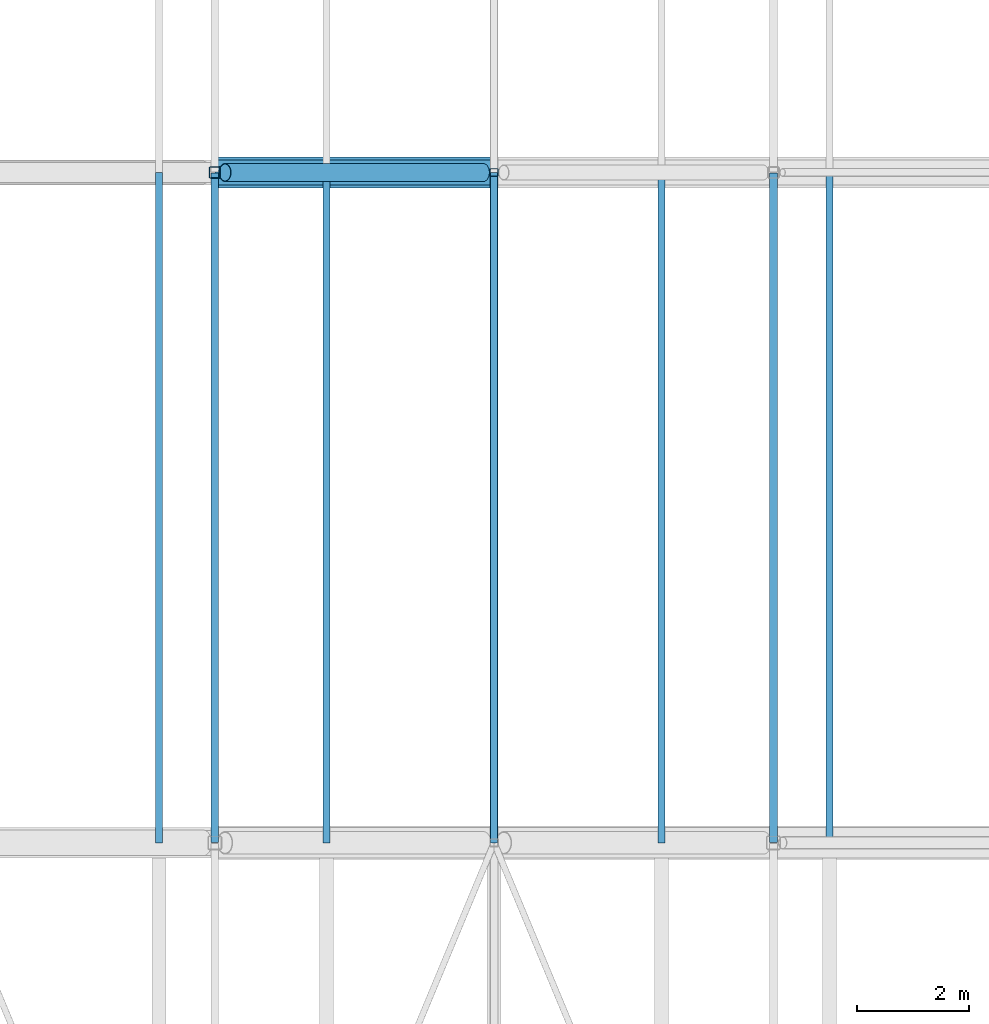
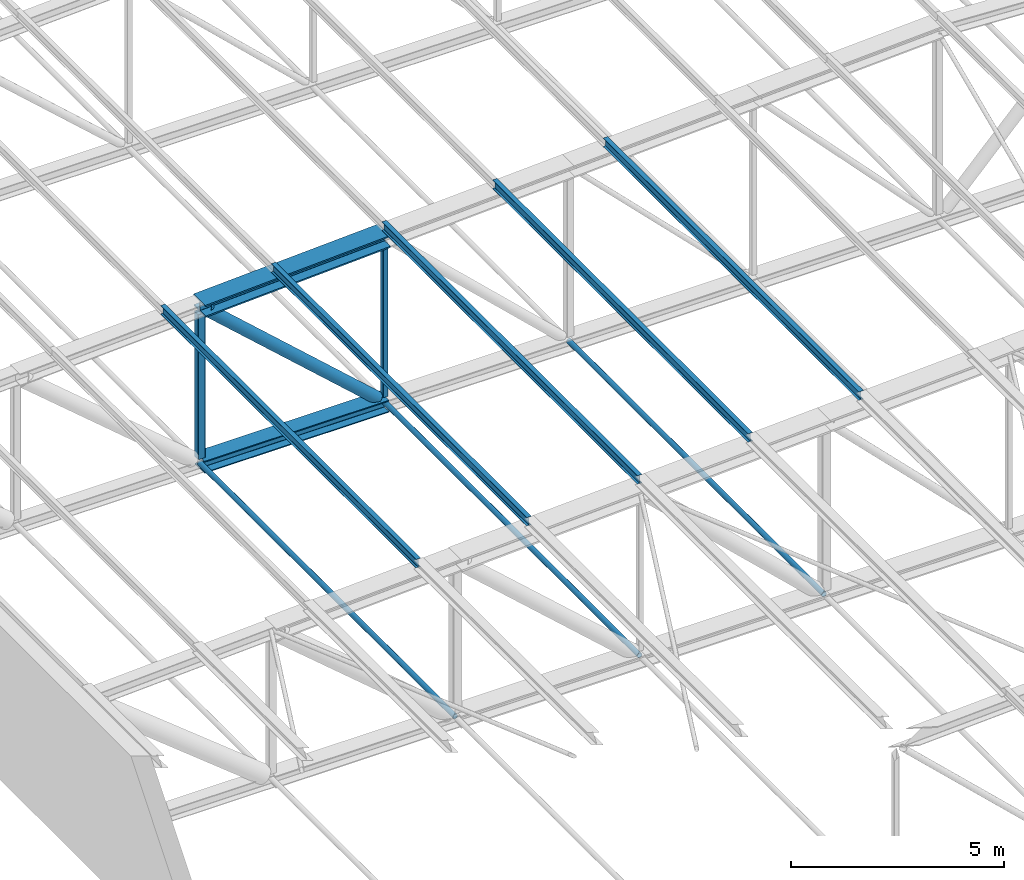
# One storey, part 73 of 156: 13 members.
"""IFC4 building model written with IfcOpenShell, lengths in metres."""

from ifc_helpers import new_model, si_unit, direction, frame, origin, origin_2d, place, context, subcontext, project, spatial, hollow_rectangle, hollow_circle, i_section, extrude, material, material_profile, profile_set, type_object, element, save


model = new_model("IFC4")

# Units and contexts
model_context = context("Model", 3, precision=1e-05, world=origin(), true_north=direction((0.0, 1.0)))
body_context = subcontext(model_context, "Body", "Model", "MODEL_VIEW")
ifc_project = project(units=[si_unit("LENGTHUNIT", "METRE"), si_unit("AREAUNIT", "SQUARE_METRE"), si_unit("VOLUMEUNIT", "CUBIC_METRE"), si_unit("PLANEANGLEUNIT", "RADIAN"), si_unit("MASSUNIT", "GRAM", prefix="KILO")], contexts=[model_context])

# Site, building, storey
site_placement = place(None, origin())
site = spatial("IfcSite", under=ifc_project, at=site_placement, CompositionType="ELEMENT")
building_placement = place(site_placement, origin())
building = spatial("IfcBuilding", under=site, at=building_placement, Name="Lilac Gate Convention Centre", CompositionType="ELEMENT")
storey_placement = place(building_placement, frame((0.0, 0.0, 17.0)))
storey = spatial("IfcBuildingStorey", under=building, at=storey_placement, Name="L03", CompositionType="ELEMENT", Elevation=17.0)

# Members
ifc_material = material(Name="Steel Q355B", Category="steel")
ifc_material_profile_1 = material_profile(ifc_material, hollow_circle(Radius=0.06982421875, WallThickness=0.0048828125, at=origin_2d()), Name="CHS139.7x5")
ifc_profile_set_1 = profile_set([ifc_material_profile_1], Name="Steel Q355B")
member_type_1 = type_object("IfcMemberType", Name="Bottom chord tie CHS139.7x5", PredefinedType="STRUT", material=ifc_profile_set_1)
member_1_placement = place(storey_placement, frame((40.0, 138.008056640625, 0.0), z_axis=(0.0, 1.0, 0.0), x_axis=(-1.0, 0.0, 0.0)))
element("IfcMember", 1, at=member_1_placement, inside=storey, type_object=member_type_1, Name="ST1 tie bay 10 node 3", PredefinedType="STRUT", context=body_context, shape_type="SweptSolid", body=[
    extrude(hollow_circle(Radius=0.06982421875, WallThickness=0.0048828125, at=origin_2d()), origin(), (0.0, 0.0, 1.0), 11.98388671875),
])
for number, where, z_axis, x_axis, name in (
    (2, (45.0, 138.010009765625, 0.0), (0.0, 1.0, 0.0), (-1.0, 0.0, 0.0), "ST1 tie bay 10 node 4"),
    (3, (50.0, 138.010009765625, 0.0), (0.0, 1.0, 0.0), (-1.0, 0.0, 0.0), "ST1 tie bay 10 node 5"),
):
    element("IfcMember", number, at=place(storey_placement, frame(where, z_axis=z_axis, x_axis=x_axis)), inside=storey, type_object=member_type_1, Name=name, PredefinedType="STRUT", context=body_context, shape_type="SweptSolid", body=[
        extrude(hollow_circle(Radius=0.06982421875, WallThickness=0.0048828125, at=origin_2d()), origin(), (0.0, 0.0, 1.0), 11.98193359375),
    ])
ifc_material_profile_2 = material_profile(ifc_material, i_section(OverallWidth=0.125, OverallDepth=0.25, WebThickness=0.006103515625, FlangeThickness=0.009033203125, FilletRadius=0.008056640625, at=origin_2d()), Name="HN250x125x6x9")
ifc_profile_set_2 = profile_set([ifc_material_profile_2], Name="Steel Q355B")
member_type_2 = type_object("IfcMemberType", Name="Roof purlin HN250x125x6x9", PredefinedType="PURLIN", material=ifc_profile_set_2)
for number, where, z_axis, x_axis, name in (
    (4, (39.0, 138.0, 4.750244140625), (0.0, 1.0, 0.0), (-1.0, 0.0, 0.0), "PU2 purlin bay 10 line 4"),
    (5, (42.0, 138.0, 4.900146484375), (0.0, 1.0, 0.0), (-1.0, 0.0, 0.0), "PU2 purlin bay 10 line 5"),
    (6, (45.0, 138.0, 5.05029296875), (0.0, 1.0, 0.0), (-1.0, 0.0, 0.0), "PU2 purlin bay 10 line 6"),
    (7, (48.0, 138.0, 5.2001953125), (0.0, 1.0, 0.0), (-1.0, 0.0, 0.0), "PU2 purlin bay 10 line 7"),
    (8, (51.0, 138.0, 5.35009765625), (0.0, 1.0, 0.0), (-1.0, 0.0, 0.0), "PU2 purlin bay 10 line 8"),
):
    element("IfcMember", number, at=place(storey_placement, frame(where, z_axis=z_axis, x_axis=x_axis)), inside=storey, type_object=member_type_2, Name=name, PredefinedType="PURLIN", context=body_context, shape_type="SweptSolid", body=[
        extrude(i_section(OverallWidth=0.125, OverallDepth=0.25, WebThickness=0.006103515625, FlangeThickness=0.009033203125, FilletRadius=0.008056640625, at=origin_2d()), origin(), (0.0, 0.0, 1.0), 12.0),
    ])
ifc_material_profile_3 = material_profile(ifc_material, i_section(OverallWidth=0.449951171875, OverallDepth=0.35009765625, WebThickness=0.01611328125, FlangeThickness=0.028076171875, FilletRadius=0.008056640625, at=origin_2d()), Name="WH350x450x16x28")
ifc_profile_set_3 = profile_set([ifc_material_profile_3], Name="Steel Q355B")
member_type_3 = type_object("IfcMemberType", Name="Truss bottom chord WH350x450x16x28", PredefinedType="CHORD", material=ifc_profile_set_3)
member_2_placement = place(storey_placement, frame((40.0, 150.0, 0.0), z_axis=(1.0, 0.0, 0.0), x_axis=(0.0, 1.0, 0.0)))
element("IfcMember", 9, at=member_2_placement, inside=storey, type_object=member_type_3, Name="TB4 truss 11 bottom chord 3", PredefinedType="CHORD", context=body_context, shape_type="SweptSolid", body=[
    extrude(i_section(OverallWidth=0.449951171875, OverallDepth=0.35009765625, WebThickness=0.01611328125, FlangeThickness=0.028076171875, FilletRadius=0.008056640625, at=origin_2d()), origin(), (0.0, 0.0, 1.0), 5.0),
])
ifc_material_profile_4 = material_profile(ifc_material, hollow_circle(Radius=0.161865234375, WallThickness=0.011962890625, at=origin_2d()), Name="CHS323.9x12")
ifc_profile_set_4 = profile_set([ifc_material_profile_4], Name="Steel Q355B")
member_type_4 = type_object("IfcMemberType", Name="Truss diagonal CHS323.9x12", PredefinedType="BRACE", material=ifc_profile_set_4)
member_3_placement = place(storey_placement, frame((40.1826171875, 150.0, 4.335693359375), z_axis=(0.743301953498, 0.0, -0.668956056797), x_axis=(0.0, 1.0, 0.0)))
element("IfcMember", 10, at=member_3_placement, inside=storey, type_object=member_type_4, Name="TW1 truss 11 diagonal 3", PredefinedType="BRACE", context=body_context, shape_type="SweptSolid", body=[
    extrude(hollow_circle(Radius=0.161865234375, WallThickness=0.011962890625, at=origin_2d()), origin(), (0.0, 0.0, 1.0), 6.2197265625),
])
ifc_material_profile_5 = material_profile(ifc_material, i_section(OverallWidth=0.550048828125, OverallDepth=0.35009765625, WebThickness=0.02001953125, FlangeThickness=0.0400390625, FilletRadius=0.008056640625, at=origin_2d()), Name="WH350x550x20x40")
ifc_profile_set_5 = profile_set([ifc_material_profile_5], Name="Steel Q355B")
member_type_5 = type_object("IfcMemberType", Name="Truss top chord WH350x550x20x40", PredefinedType="CHORD", material=ifc_profile_set_5)
member_4_placement = place(storey_placement, frame((40.0, 150.0, 4.5), z_axis=(0.998752338878, 0.0, 0.049937616944), x_axis=(0.0, 1.0, 0.0)))
element("IfcMember", 11, at=member_4_placement, inside=storey, type_object=member_type_5, Name="TT4 truss 11 top chord 3", PredefinedType="CHORD", context=body_context, shape_type="SweptSolid", body=[
    extrude(i_section(OverallWidth=0.550048828125, OverallDepth=0.35009765625, WebThickness=0.02001953125, FlangeThickness=0.0400390625, FilletRadius=0.008056640625, at=origin_2d()), origin(), (0.0, 0.0, 1.0), 5.00634765625),
])
ifc_material_profile_6 = material_profile(ifc_material, hollow_rectangle(XDim=0.139892578125, YDim=0.139892578125, WallThickness=0.0048828125, InnerFilletRadius=0.0048828125, OuterFilletRadius=0.010009765625, at=origin_2d()), Name="SHS140x140x5")
ifc_profile_set_6 = profile_set([ifc_material_profile_6], Name="Steel Q355B")
member_type_6 = type_object("IfcMemberType", Name="Truss vertical SHS140x140x5", PredefinedType="STRUT", material=ifc_profile_set_6)
member_5_placement = place(storey_placement, frame((45.0, 150.0, 0.175048828125), z_axis=(0.0, 0.0, 1.0), x_axis=(1.0, 0.0, 0.0)))
element("IfcMember", 12, at=member_5_placement, inside=storey, type_object=member_type_6, Name="TV4 truss 11 vertical 4", PredefinedType="STRUT", context=body_context, shape_type="SweptSolid", body=[
    extrude(hollow_rectangle(XDim=0.139892578125, YDim=0.139892578125, WallThickness=0.0048828125, InnerFilletRadius=0.0048828125, OuterFilletRadius=0.010009765625, at=origin_2d()), origin(), (0.0, 0.0, 1.0), 4.399658203125),
])
ifc_material_profile_7 = material_profile(ifc_material, hollow_rectangle(XDim=0.199951171875, YDim=0.199951171875, WallThickness=0.008056640625, InnerFilletRadius=0.011962890625, OuterFilletRadius=0.02001953125, at=origin_2d()), Name="SHS200x200x8")
ifc_profile_set_7 = profile_set([ifc_material_profile_7], Name="Steel Q355B")
member_type_7 = type_object("IfcMemberType", Name="Truss vertical SHS200x200x8", PredefinedType="STRUT", material=ifc_profile_set_7)
member_6_placement = place(storey_placement, frame((40.0, 150.0, 0.175048828125), z_axis=(0.0, 0.0, 1.0), x_axis=(1.0, 0.0, 0.0)))
element("IfcMember", 13, at=member_6_placement, inside=storey, type_object=member_type_7, Name="TV2 truss 11 vertical 3", PredefinedType="STRUT", context=body_context, shape_type="SweptSolid", body=[
    extrude(hollow_rectangle(XDim=0.199951171875, YDim=0.199951171875, WallThickness=0.008056640625, InnerFilletRadius=0.011962890625, OuterFilletRadius=0.02001953125, at=origin_2d()), origin(), (0.0, 0.0, 1.0), 4.149658203125),
])

save(model, "model.ifc")
